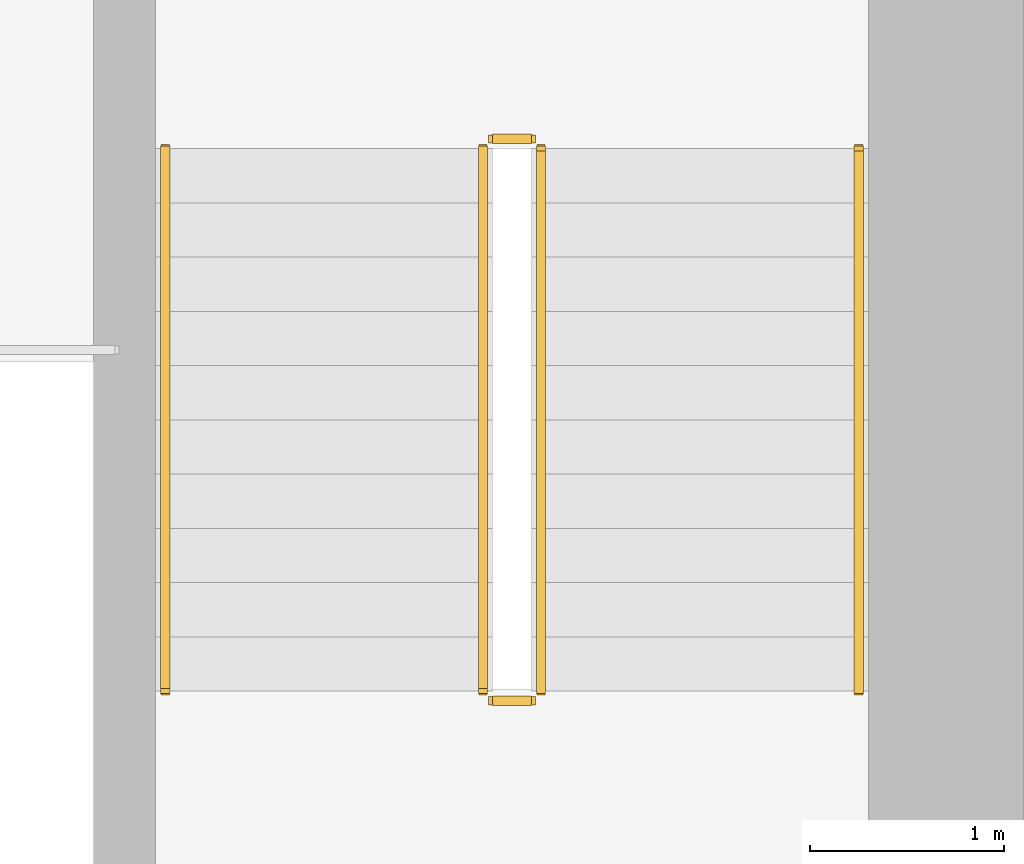
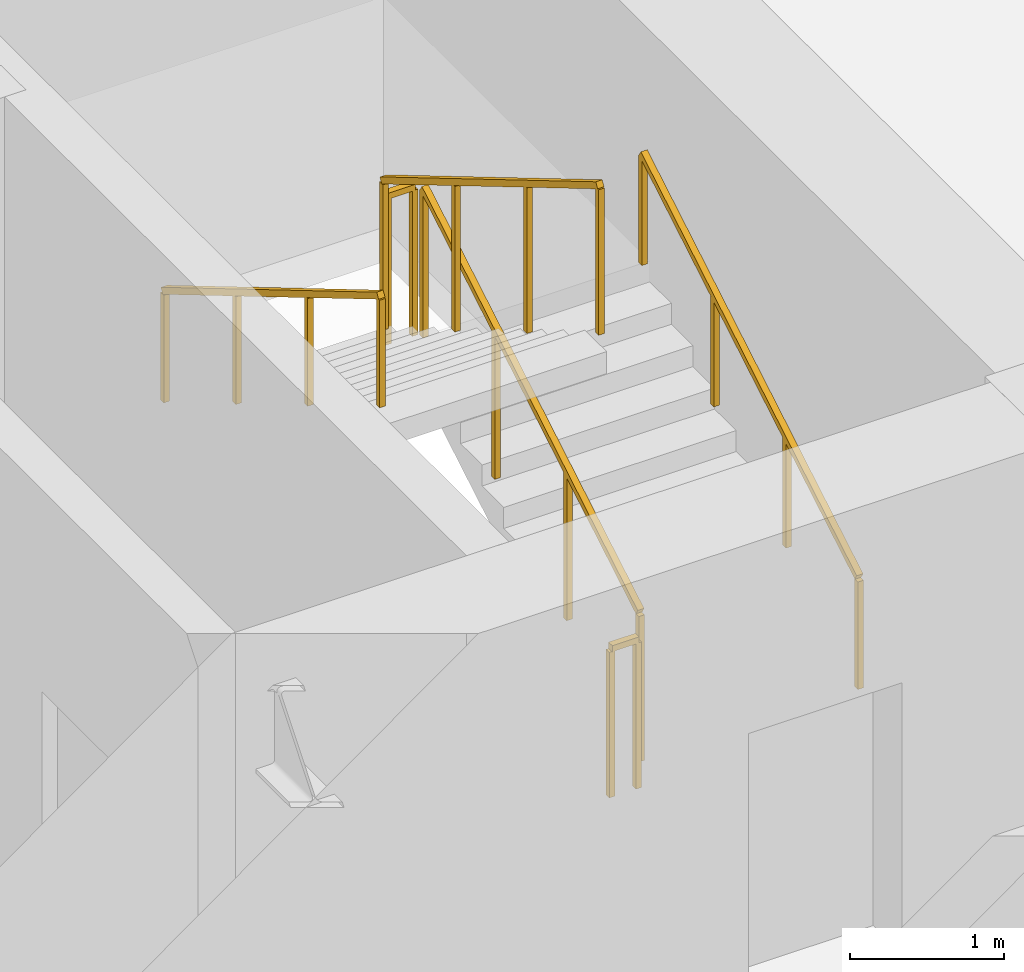
# One storey, part 16 of 16: 6 railings.
"""IFC4 building model written with IfcOpenShell, lengths in metres."""

from ifc_helpers import new_model, si_unit, direction, frame, origin, origin_2d, place, context, subcontext, project, spatial, rectangle, extrude, material, type_object, element, save


model = new_model("IFC4")

# Units and contexts
model_context = context("Model", 3, precision=1e-05, world=origin(), true_north=direction((0.0, 1.0)))
body_context = subcontext(model_context, "Body", "Model", "MODEL_VIEW")
ifc_project = project(units=[si_unit("LENGTHUNIT", "METRE"), si_unit("AREAUNIT", "SQUARE_METRE"), si_unit("VOLUMEUNIT", "CUBIC_METRE"), si_unit("PLANEANGLEUNIT", "RADIAN"), si_unit("MASSUNIT", "GRAM", prefix="KILO")], contexts=[model_context])

# Site, building, storey
site_placement = place(None, origin())
site = spatial("IfcSite", under=ifc_project, at=site_placement, CompositionType="ELEMENT")
building_placement = place(site_placement, origin())
building = spatial("IfcBuilding", under=site, at=building_placement, Name="Talyreon Biosciences Tower", CompositionType="ELEMENT")
storey_placement = place(building_placement, frame((0.0, 0.0, 134.5)))
storey = spatial("IfcBuildingStorey", under=building, at=storey_placement, Name="L35", CompositionType="ELEMENT", Elevation=134.5)

# Railings
ifc_material_1 = material(Name="Brushed stainless-steel tubular handrail", Category="steel")
railing_type_1 = type_object("IfcRailingType", Name="StairWallHandrail_900", PredefinedType="HANDRAIL", material=ifc_material_1)
railing_1_placement = place(storey_placement, frame((73.699951171875, 63.39990234375, 0.166015625)))
element("IfcRailing", 1, at=railing_1_placement, inside=storey, type_object=railing_type_1, Name="L35 ST-2 stair handrail 1", PredefinedType="HANDRAIL", context=body_context, shape_type="SweptSolid", body=[
    extrude(rectangle(XDim=0.048095703125, YDim=0.048095703125, at=origin_2d()), frame((0.0, 0.0, 0.8759765625), z_axis=(0.0, 0.860339051648, 0.50972219513), x_axis=(-1.0, 0.0, 0.0)), (0.0, 0.0, 1.0), 3.254638671875),
    extrude(rectangle(XDim=0.0419921875, YDim=0.0419921875, at=origin_2d()), origin(), (0.0, 0.0, 1.0), 0.851806640625),
    extrude(rectangle(XDim=0.0419921875, YDim=0.0419921875, at=origin_2d()), frame((0.0, 0.933349609375, 0.552978515625)), (0.0, 0.0, 1.0), 0.851806640625),
    extrude(rectangle(XDim=0.0419921875, YDim=0.0419921875, at=origin_2d()), frame((0.0, 1.86669921875, 1.10595703125)), (0.0, 0.0, 1.0), 0.851806640625),
    extrude(rectangle(XDim=0.0419921875, YDim=0.0419921875, at=origin_2d()), frame((0.0, 2.800048828125, 1.658935546875)), (0.0, 0.0, 1.0), 0.851806640625),
])
railing_2_placement = place(storey_placement, frame((70.1201171875, 66.199951171875, 1.990966796875)))
element("IfcRailing", 2, at=railing_2_placement, inside=storey, type_object=railing_type_1, Name="L35 ST-2 stair handrail 2", PredefinedType="HANDRAIL", context=body_context, shape_type="SweptSolid", body=[
    extrude(rectangle(XDim=0.048095703125, YDim=0.048095703125, at=origin_2d()), frame((0.0, 0.0, 0.8759765625), z_axis=(0.0, -0.860339051648, 0.50972219513), x_axis=(1.0, 0.0, 0.0)), (0.0, 0.0, 1.0), 3.254638671875),
    extrude(rectangle(XDim=0.0419921875, YDim=0.0419921875, at=origin_2d()), origin(), (0.0, 0.0, 1.0), 0.851806640625),
    extrude(rectangle(XDim=0.0419921875, YDim=0.0419921875, at=origin_2d()), frame((0.0, -0.933349609375, 0.552978515625)), (0.0, 0.0, 1.0), 0.851806640625),
    extrude(rectangle(XDim=0.0419921875, YDim=0.0419921875, at=origin_2d()), frame((0.0, -1.86669921875, 1.10595703125)), (0.0, 0.0, 1.0), 0.851806640625),
    extrude(rectangle(XDim=0.0419921875, YDim=0.0419921875, at=origin_2d()), frame((0.0, -2.800048828125, 1.658935546875)), (0.0, 0.0, 1.0), 0.851806640625),
])
ifc_material_2 = material(Name="Painted galvanised steel post-and-rail balustrade", Category="steel")
railing_type_2 = type_object("IfcRailingType", Name="TerraceStairGuard_1200", PredefinedType="GUARDRAIL", material=ifc_material_2)
railing_3_placement = place(storey_placement, frame((72.06005859375, 63.39990234375, 0.166015625)))
element("IfcRailing", 3, at=railing_3_placement, inside=storey, type_object=railing_type_2, Name="L35 ST-2 stair guard 1", PredefinedType="GUARDRAIL", context=body_context, shape_type="SweptSolid", body=[
    extrude(rectangle(XDim=0.048095703125, YDim=0.048095703125, at=origin_2d()), frame((0.0, 0.0, 1.17578125), z_axis=(0.0, 0.860339051648, 0.50972219513), x_axis=(-1.0, 0.0, 0.0)), (0.0, 0.0, 1.0), 3.254638671875),
    extrude(rectangle(XDim=0.0419921875, YDim=0.0419921875, at=origin_2d()), origin(), (0.0, 0.0, 1.0), 1.15185546875),
    extrude(rectangle(XDim=0.0419921875, YDim=0.0419921875, at=origin_2d()), frame((0.0, 0.933349609375, 0.552978515625)), (0.0, 0.0, 1.0), 1.15185546875),
    extrude(rectangle(XDim=0.0419921875, YDim=0.0419921875, at=origin_2d()), frame((0.0, 1.86669921875, 1.10595703125)), (0.0, 0.0, 1.0), 1.15185546875),
    extrude(rectangle(XDim=0.0419921875, YDim=0.0419921875, at=origin_2d()), frame((0.0, 2.800048828125, 1.658935546875)), (0.0, 0.0, 1.0), 1.15185546875),
])
railing_4_placement = place(storey_placement, frame((72.010009765625, 66.25, 1.824951171875)))
element("IfcRailing", 4, at=railing_4_placement, inside=storey, type_object=railing_type_2, Name="L35 ST-2 stair guard 2", PredefinedType="GUARDRAIL", context=body_context, shape_type="SweptSolid", body=[
    extrude(rectangle(XDim=0.048095703125, YDim=0.048095703125, at=origin_2d()), frame((0.0, 0.0, 1.17578125), z_axis=(-1.0, 0.0, 0.0), x_axis=(0.0, -1.0, 0.0)), (0.0, 0.0, 1.0), 0.199951171875),
    extrude(rectangle(XDim=0.0419921875, YDim=0.0419921875, at=origin_2d()), origin(), (0.0, 0.0, 1.0), 1.15185546875),
    extrude(rectangle(XDim=0.0419921875, YDim=0.0419921875, at=origin_2d()), frame((-0.199951171875, 0.0, 0.0)), (0.0, 0.0, 1.0), 1.15185546875),
])
railing_5_placement = place(storey_placement, frame((71.760009765625, 66.199951171875, 1.990966796875)))
element("IfcRailing", 5, at=railing_5_placement, inside=storey, type_object=railing_type_2, Name="L35 ST-2 stair guard 3", PredefinedType="GUARDRAIL", context=body_context, shape_type="SweptSolid", body=[
    extrude(rectangle(XDim=0.048095703125, YDim=0.048095703125, at=origin_2d()), frame((0.0, 0.0, 1.17578125), z_axis=(0.0, -0.860339051648, 0.50972219513), x_axis=(1.0, 0.0, 0.0)), (0.0, 0.0, 1.0), 3.254638671875),
    extrude(rectangle(XDim=0.0419921875, YDim=0.0419921875, at=origin_2d()), origin(), (0.0, 0.0, 1.0), 1.15185546875),
    extrude(rectangle(XDim=0.0419921875, YDim=0.0419921875, at=origin_2d()), frame((0.0, -0.933349609375, 0.552978515625)), (0.0, 0.0, 1.0), 1.15185546875),
    extrude(rectangle(XDim=0.0419921875, YDim=0.0419921875, at=origin_2d()), frame((0.0, -1.86669921875, 1.10595703125)), (0.0, 0.0, 1.0), 1.15185546875),
    extrude(rectangle(XDim=0.0419921875, YDim=0.0419921875, at=origin_2d()), frame((0.0, -2.800048828125, 1.658935546875)), (0.0, 0.0, 1.0), 1.15185546875),
])
railing_6_placement = place(storey_placement, frame((72.010009765625, 63.35009765625, 0.0)))
element("IfcRailing", 6, at=railing_6_placement, inside=storey, type_object=railing_type_2, Name="L35 ST-2 stair guard 4", PredefinedType="GUARDRAIL", context=body_context, shape_type="SweptSolid", body=[
    extrude(rectangle(XDim=0.048095703125, YDim=0.048095703125, at=origin_2d()), frame((0.0, 0.0, 1.17578125), z_axis=(-1.0, 0.0, 0.0), x_axis=(0.0, -1.0, 0.0)), (0.0, 0.0, 1.0), 0.199951171875),
    extrude(rectangle(XDim=0.0419921875, YDim=0.0419921875, at=origin_2d()), origin(), (0.0, 0.0, 1.0), 1.15185546875),
    extrude(rectangle(XDim=0.0419921875, YDim=0.0419921875, at=origin_2d()), frame((-0.199951171875, 0.0, 0.0)), (0.0, 0.0, 1.0), 1.15185546875),
])

save(model, "model.ifc")
